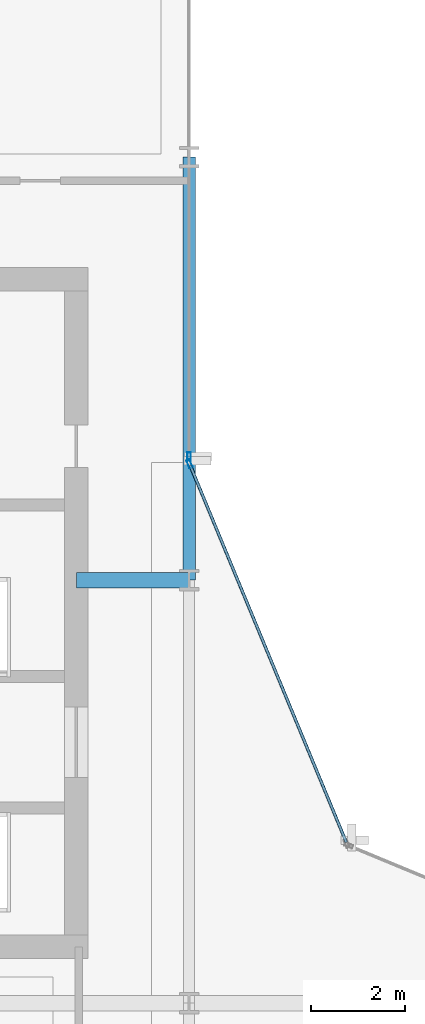
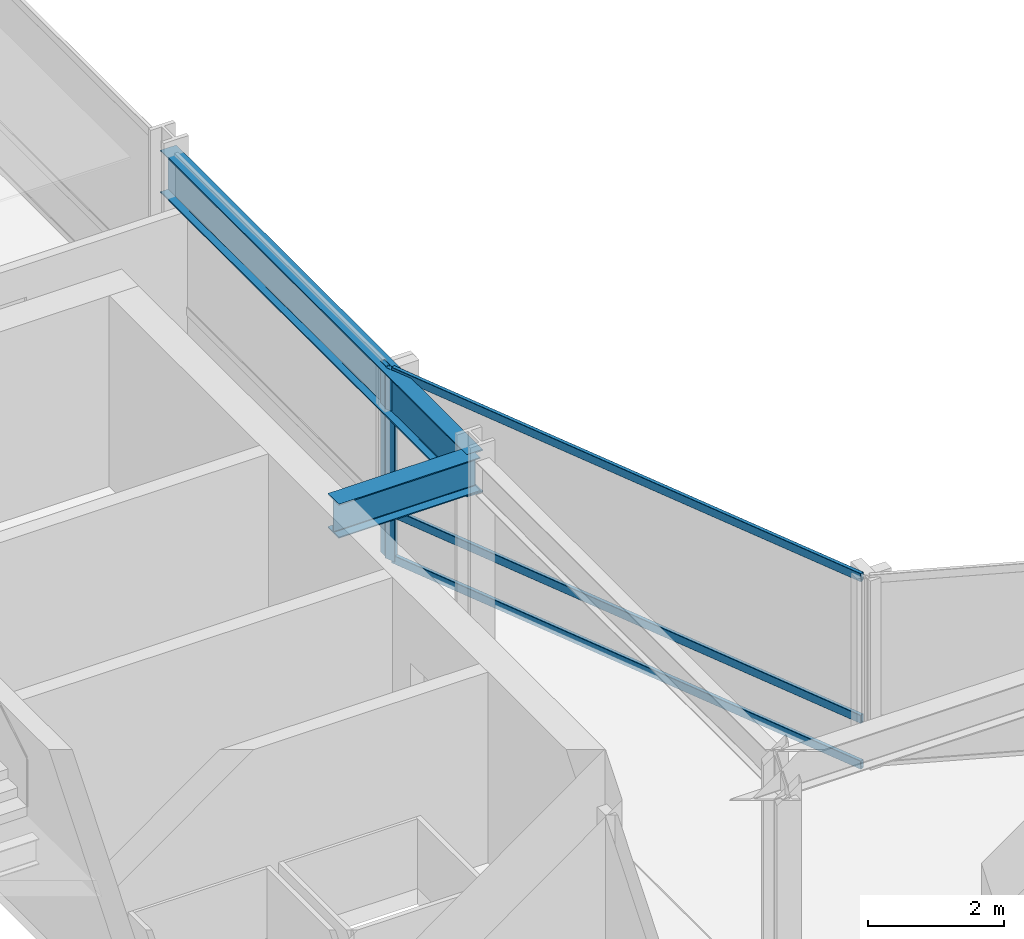
# One storey, part 17 of 28: 5 members, 2 beams, 2 elements without a shape of their own.
"""IFC4 building model written with IfcOpenShell, lengths in metres."""

from ifc_helpers import new_model, si_unit, direction, frame, origin, origin_2d, place, context, subcontext, project, spatial, hollow_rectangle, i_section, extrude, material, layer, layer_set, material_profile, profile_set, type_object, element, aggregate, save


model = new_model("IFC4")

# Units and contexts
model_context = context("Model", 3, precision=1e-05, world=origin(), true_north=direction((0.0, 1.0)))
body_context = subcontext(model_context, "Body", "Model", "MODEL_VIEW")
ifc_project = project(units=[si_unit("LENGTHUNIT", "METRE"), si_unit("AREAUNIT", "SQUARE_METRE"), si_unit("VOLUMEUNIT", "CUBIC_METRE"), si_unit("PLANEANGLEUNIT", "RADIAN"), si_unit("MASSUNIT", "GRAM", prefix="KILO")], contexts=[model_context])

# Site, building, storey
site_placement = place(None, origin())
site = spatial("IfcSite", under=ifc_project, at=site_placement, CompositionType="ELEMENT")
building_placement = place(site_placement, origin())
building = spatial("IfcBuilding", under=site, at=building_placement, Name="Solvaryn Broadcast Tower", CompositionType="ELEMENT")
storey_placement = place(building_placement, frame((0.0, 0.0, 135.89990234375)))
storey = spatial("IfcBuildingStorey", under=building, at=storey_placement, Name="L33", CompositionType="ELEMENT", Elevation=135.89990234375)

# Beams
ifc_material_1 = material(Name="Steel ASTM A992 Grade 50", Category="steel")
ifc_material_profile_1 = material_profile(ifc_material_1, i_section(OverallWidth=0.323974609375, OverallDepth=0.611083984375, WebThickness=0.0126953125, FlangeThickness=0.01904296875, FilletRadius=0.014892578125, at=origin_2d()))
ifc_profile_set_1 = profile_set([ifc_material_profile_1], Name="Steel ASTM A992 Grade 50")
beam_type_1 = type_object("IfcBeamType", Name="BM-B1-W24X104", PredefinedType="BEAM", material=ifc_profile_set_1)
beam_1_placement = place(storey_placement, frame((24.60009765625, 36.0, 3.114501953125), z_axis=(1.0, 0.0, 0.0), x_axis=(0.0, 1.0, 0.0)))
element("IfcBeam", 1, at=beam_1_placement, inside=storey, type_object=beam_type_1, Name="L33 Core Tie Beam CTW2", PredefinedType="BEAM", context=body_context, shape_type="SweptSolid", body=[
    extrude(i_section(OverallWidth=0.323974609375, OverallDepth=0.611083984375, WebThickness=0.0126953125, FlangeThickness=0.01904296875, FilletRadius=0.014892578125, at=origin_2d()), origin(), (0.0, 0.0, 1.0), 2.39990234375),
])
ifc_material_2 = material(Name="Steel ASTM A992 Grade 50", Category="steel")
ifc_material_profile_2 = material_profile(ifc_material_2, i_section(OverallWidth=0.26708984375, OverallDepth=0.76611328125, WebThickness=0.014892578125, FlangeThickness=0.023681640625, FilletRadius=0.01806640625, at=origin_2d()))
ifc_profile_set_2 = profile_set([ifc_material_profile_2], Name="Steel ASTM A992 Grade 50")
beam_type_2 = type_object("IfcBeamType", Name="BM-SP2-W30X124", PredefinedType="USERDEFINED", material=ifc_profile_set_2)
beam_2_placement = place(storey_placement, frame((27.0, 36.0, 3.037109375), z_axis=(0.0, 1.0, 0.0), x_axis=(-1.0, 0.0, 0.0)))
element("IfcBeam", 2, at=beam_2_placement, inside=storey, type_object=beam_type_2, Name="L33 Spandrel Beam Y (36-45 @ X=27)", ObjectType="SPANDREL", PredefinedType="USERDEFINED", context=body_context, shape_type="SweptSolid", body=[
    extrude(i_section(OverallWidth=0.26708984375, OverallDepth=0.76611328125, WebThickness=0.014892578125, FlangeThickness=0.023681640625, FilletRadius=0.01806640625, at=origin_2d()), origin(), (0.0, 0.0, 1.0), 9.0),
])

# Curtain wall, member
ifc_material_3 = material(Name="Aluminium and Terracotta Unitised Curtain Wall", Category="masonry")
ifc_layer = layer(ifc_material_3, 0.199951171875)
ifc_layer_set = layer_set([ifc_layer], Name="CW-SYS2-LOWMID")
curtain_wall_type = type_object("IfcCurtainWallType", Name="CW-SYS2-LOWMID", PredefinedType="NOTDEFINED", material=ifc_layer_set)
curtain_wall_1_placement = place(storey_placement, origin())
curtain_wall_1 = element("IfcCurtainWall", 3, at=curtain_wall_1_placement, inside=storey, type_object=curtain_wall_type, Name="L33 Curtain Wall IV", PredefinedType="NOTDEFINED")
ifc_material_4 = material(Name="Anodised Aluminium 6063-T6", Category="aluminium")
ifc_material_profile_3 = material_profile(ifc_material_4, hollow_rectangle(XDim=0.074951171875, YDim=0.179931640625, WallThickness=0.00390625, InnerFilletRadius=0.00390625, OuterFilletRadius=0.008056640625, at=origin_2d()))
ifc_profile_set_3 = profile_set([ifc_material_profile_3], Name="Anodised Aluminium 6063-T6")
member_type_1 = type_object("IfcMemberType", Name="CW-MUL-180", PredefinedType="MULLION", material=ifc_profile_set_3)
member_1_placement = place(storey_placement, frame((27.0, 38.6298828125, 0.0), z_axis=(0.0, 0.0, 1.0), x_axis=(1.0, 0.0, 0.0)))
member_1 = element("IfcMember", 4, at=member_1_placement, type_object=member_type_1, Name="CWS2 mullion 2", PredefinedType="MULLION", context=body_context, shape_type="SweptSolid", body=[
    extrude(hollow_rectangle(XDim=0.074951171875, YDim=0.179931640625, WallThickness=0.00390625, InnerFilletRadius=0.00390625, OuterFilletRadius=0.008056640625, at=origin_2d()), origin(), (0.0, 0.0, 1.0), 3.420166015625),
])
aggregate(curtain_wall_1, [member_1])

# Curtain wall, members
curtain_wall_2_placement = place(storey_placement, origin())
curtain_wall_2 = element("IfcCurtainWall", 5, at=curtain_wall_2_placement, inside=storey, type_object=curtain_wall_type, Name="L33 Curtain Wall CN2", PredefinedType="NOTDEFINED")
member_2_placement = place(storey_placement, frame((27.011474609375, 38.47216796875, 0.0), z_axis=(0.0, 0.0, 1.0), x_axis=(-0.923894983957, -0.382646127145, 0.0)))
member_2 = element("IfcMember", 6, at=member_2_placement, type_object=member_type_1, Name="CWS2 mullion 2", PredefinedType="MULLION", context=body_context, shape_type="SweptSolid", body=[
    extrude(hollow_rectangle(XDim=0.074951171875, YDim=0.179931640625, WallThickness=0.00390625, InnerFilletRadius=0.00390625, OuterFilletRadius=0.008056640625, at=origin_2d()), origin(), (0.0, 0.0, 1.0), 3.420166015625),
])
ifc_material_5 = material(Name="Anodised Aluminium 6063-T6", Category="aluminium")
ifc_material_profile_4 = material_profile(ifc_material_5, hollow_rectangle(XDim=0.06494140625, YDim=0.14990234375, WallThickness=0.00390625, InnerFilletRadius=0.00390625, OuterFilletRadius=0.008056640625, at=origin_2d()))
ifc_profile_set_4 = profile_set([ifc_material_profile_4], Name="Anodised Aluminium 6063-T6")
member_type_2 = type_object("IfcMemberType", Name="CW-TRN-150", PredefinedType="USERDEFINED", material=ifc_profile_set_4)
member_3_placement = place(storey_placement, frame((30.344970703125, 30.42333984375, 0.030029296875), z_axis=(-0.382635748975, 0.923899282177, 0.0), x_axis=(-0.923899282177, -0.382635748975, 0.0)))
member_3 = element("IfcMember", 7, at=member_3_placement, type_object=member_type_2, Name="CWS2 transom 1.1", ObjectType="TRANSOM", PredefinedType="USERDEFINED", context=body_context, shape_type="SweptSolid", body=[
    extrude(hollow_rectangle(XDim=0.06494140625, YDim=0.14990234375, WallThickness=0.00390625, InnerFilletRadius=0.00390625, OuterFilletRadius=0.008056640625, at=origin_2d()), origin(), (0.0, 0.0, 1.0), 8.681884765625),
])
member_4_placement = place(storey_placement, frame((30.344970703125, 30.42333984375, 0.85009765625), z_axis=(-0.382635748975, 0.923899282177, 0.0), x_axis=(-0.923899282177, -0.382635748975, 0.0)))
member_4 = element("IfcMember", 8, at=member_4_placement, type_object=member_type_2, Name="CWS2 transom 1.2", ObjectType="TRANSOM", PredefinedType="USERDEFINED", context=body_context, shape_type="SweptSolid", body=[
    extrude(hollow_rectangle(XDim=0.06494140625, YDim=0.14990234375, WallThickness=0.00390625, InnerFilletRadius=0.00390625, OuterFilletRadius=0.008056640625, at=origin_2d()), origin(), (0.0, 0.0, 1.0), 8.681884765625),
])
member_5_placement = place(storey_placement, frame((30.344970703125, 30.42333984375, 3.39013671875), z_axis=(-0.382635748975, 0.923899282177, 0.0), x_axis=(-0.923899282177, -0.382635748975, 0.0)))
member_5 = element("IfcMember", 9, at=member_5_placement, type_object=member_type_2, Name="CWS2 transom 1.3", ObjectType="TRANSOM", PredefinedType="USERDEFINED", context=body_context, shape_type="SweptSolid", body=[
    extrude(hollow_rectangle(XDim=0.06494140625, YDim=0.14990234375, WallThickness=0.00390625, InnerFilletRadius=0.00390625, OuterFilletRadius=0.008056640625, at=origin_2d()), origin(), (0.0, 0.0, 1.0), 8.681884765625),
])
aggregate(curtain_wall_2, [member_2, member_3, member_4, member_5])

save(model, "model.ifc")
